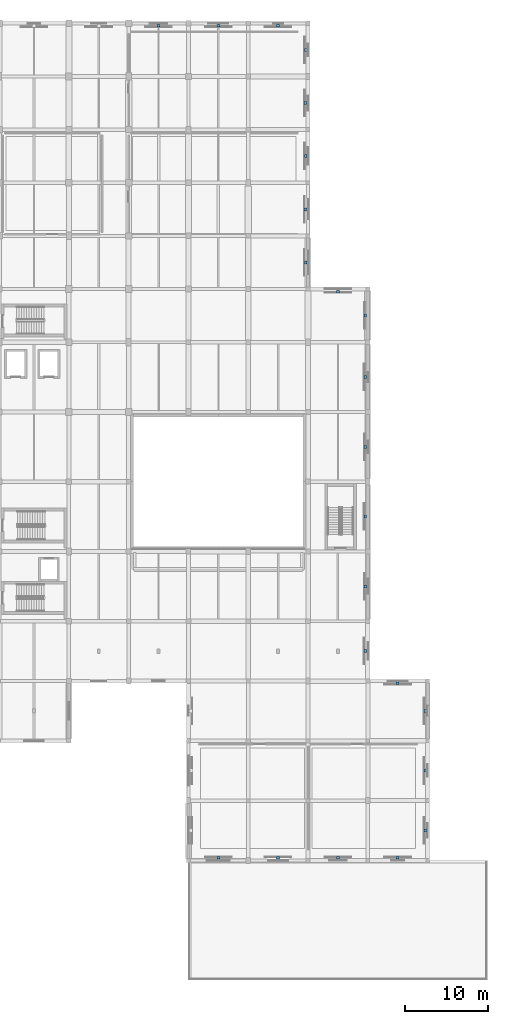
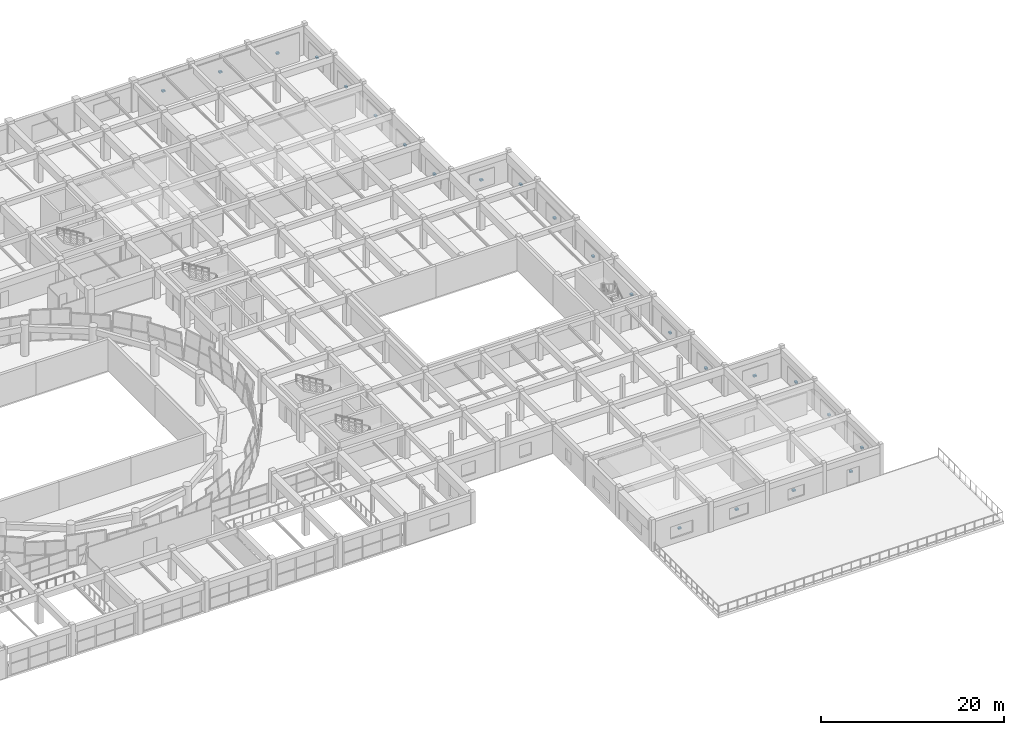
# One storey, part 59 of 71: 23 discrete accessories.
"""IFC4 building model written with IfcOpenShell, lengths in metres."""

from ifc_helpers import new_model, si_unit, direction, frame, origin, origin_2d, place, context, subcontext, project, spatial, rectangle, extrude, material, type_object, element, save


model = new_model("IFC4")

# Units and contexts
model_context = context("Model", 3, precision=1e-05, world=origin(), true_north=direction((0.0, 1.0)))
body_context = subcontext(model_context, "Body", "Model", "MODEL_VIEW")
ifc_project = project(units=[si_unit("LENGTHUNIT", "METRE"), si_unit("AREAUNIT", "SQUARE_METRE"), si_unit("VOLUMEUNIT", "CUBIC_METRE"), si_unit("PLANEANGLEUNIT", "RADIAN"), si_unit("MASSUNIT", "GRAM", prefix="KILO")], contexts=[model_context])

# Site, building, storey
site_placement = place(None, origin())
site = spatial("IfcSite", under=ifc_project, at=site_placement, CompositionType="ELEMENT")
building_placement = place(site_placement, origin())
building = spatial("IfcBuilding", under=site, at=building_placement, Name="Korsvaeld Concert Hall", CompositionType="ELEMENT")
storey_placement = place(building_placement, frame((0.0, 0.0, 4.800048828125)))
storey = spatial("IfcBuildingStorey", under=building, at=storey_placement, Name="L01", CompositionType="ELEMENT", Elevation=4.800048828125)

# Discrete accessories
ifc_material = material(Name="Anodised architectural bronze bracket")
discrete_accessory_type = type_object("IfcDiscreteAccessoryType", Name="ACC-BRACKET-JALI", PredefinedType="BRACKET", material=ifc_material)
for number, where, z_axis, x_axis, name in (
    (1, (128.39990234375, 114.889892578125, 1.39013671875), (0.0, 0.0, 1.0), (1.0, 0.0, 0.0), "Jali screen outrigger bracket L01-30"),
    (2, (135.60009765625, 114.905029296875, 1.39013671875), (0.0, 0.0, 1.0), (1.0, 0.0, 0.0), "Jali screen outrigger bracket L01-31"),
    (3, (142.800048828125, 114.889892578125, 1.39013671875), (0.0, 0.0, 1.0), (1.0, 0.0, 0.0), "Jali screen outrigger bracket L01-32"),
    (4, (146.10498046875, 112.0, 1.39013671875), (0.0, 0.0, 1.0), (0.0, -1.0, 0.0), "Jali screen outrigger bracket L01-33"),
    (5, (146.090087890625, 105.60009765625, 1.39013671875), (0.0, 0.0, 1.0), (0.0, -1.0, 0.0), "Jali screen outrigger bracket L01-34"),
    (6, (146.10498046875, 99.199951171875, 1.39013671875), (0.0, 0.0, 1.0), (0.0, -1.0, 0.0), "Jali screen outrigger bracket L01-35"),
    (7, (146.090087890625, 92.800048828125, 1.39013671875), (0.0, 0.0, 1.0), (0.0, -1.0, 0.0), "Jali screen outrigger bracket L01-36"),
    (8, (146.10498046875, 86.39990234375, 1.39013671875), (0.0, 0.0, 1.0), (0.0, -1.0, 0.0), "Jali screen outrigger bracket L01-37"),
    (9, (150.0, 82.889892578125, 1.39013671875), (0.0, 0.0, 1.0), (1.0, 0.0, 0.0), "Jali screen outrigger bracket L01-38"),
    (10, (153.304931640625, 80.0, 1.39013671875), (0.0, 0.0, 1.0), (0.0, -1.0, 0.0), "Jali screen outrigger bracket L01-39"),
    (11, (153.2900390625, 72.60009765625, 1.39013671875), (0.0, 0.0, 1.0), (0.0, -1.0, 0.0), "Jali screen outrigger bracket L01-40"),
    (12, (153.304931640625, 64.199951171875, 1.39013671875), (0.0, 0.0, 1.0), (0.0, -1.0, 0.0), "Jali screen outrigger bracket L01-41"),
    (13, (153.2900390625, 55.800048828125, 1.39013671875), (0.0, 0.0, 1.0), (0.0, -1.0, 0.0), "Jali screen outrigger bracket L01-42"),
    (14, (153.304931640625, 47.39990234375, 1.39013671875), (0.0, 0.0, 1.0), (0.0, -1.0, 0.0), "Jali screen outrigger bracket L01-43"),
    (15, (153.2900390625, 39.60009765625, 1.39013671875), (0.0, 0.0, 1.0), (0.0, -1.0, 0.0), "Jali screen outrigger bracket L01-44"),
    (16, (157.199951171875, 35.705078125, 1.39013671875), (0.0, 0.0, 1.0), (1.0, 0.0, 0.0), "Jali screen outrigger bracket L01-45"),
    (17, (160.489990234375, 32.39990234375, 1.39013671875), (0.0, 0.0, 1.0), (0.0, -1.0, 0.0), "Jali screen outrigger bracket L01-46"),
    (18, (160.5048828125, 25.199951171875, 1.39013671875), (0.0, 0.0, 1.0), (0.0, -1.0, 0.0), "Jali screen outrigger bracket L01-47"),
    (19, (160.489990234375, 18.0, 1.39013671875), (0.0, 0.0, 1.0), (0.0, -1.0, 0.0), "Jali screen outrigger bracket L01-48"),
    (20, (157.199951171875, 14.695068359375, 1.39013671875), (0.0, 0.0, 1.0), (-1.0, 0.0, 0.0), "Jali screen outrigger bracket L01-49"),
    (21, (150.0, 14.7099609375, 1.39013671875), (0.0, 0.0, 1.0), (-1.0, 0.0, 0.0), "Jali screen outrigger bracket L01-50"),
    (22, (142.800048828125, 14.695068359375, 1.39013671875), (0.0, 0.0, 1.0), (-1.0, 0.0, 0.0), "Jali screen outrigger bracket L01-51"),
    (23, (135.60009765625, 14.7099609375, 1.39013671875), (0.0, 0.0, 1.0), (-1.0, 0.0, 0.0), "Jali screen outrigger bracket L01-52"),
):
    element("IfcDiscreteAccessory", number, at=place(storey_placement, frame(where, z_axis=z_axis, x_axis=x_axis)), inside=storey, type_object=discrete_accessory_type, Name=name, PredefinedType="BRACKET", context=body_context, shape_type="SweptSolid", body=[
        extrude(rectangle(XDim=0.360107421875, YDim=0.300048828125, at=origin_2d()), origin(), (0.0, 0.0, 1.0), 0.219970703125),
    ])

save(model, "model.ifc")
